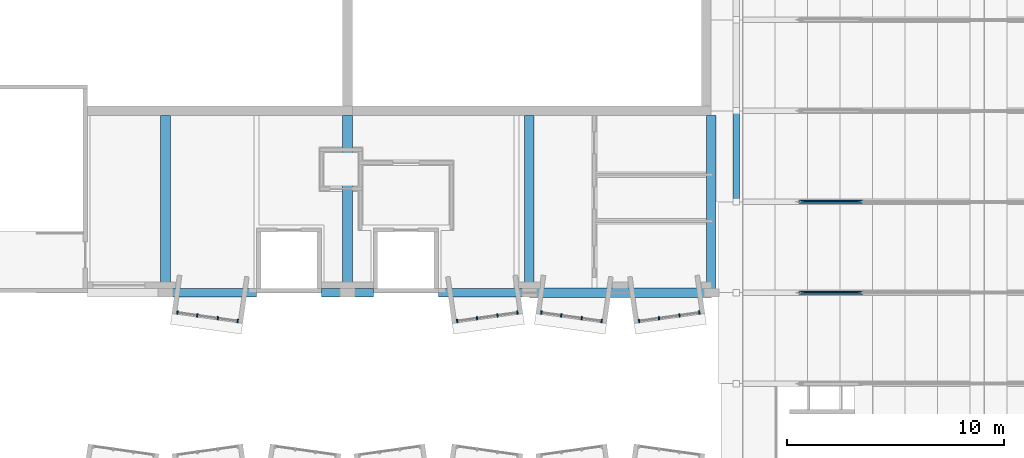
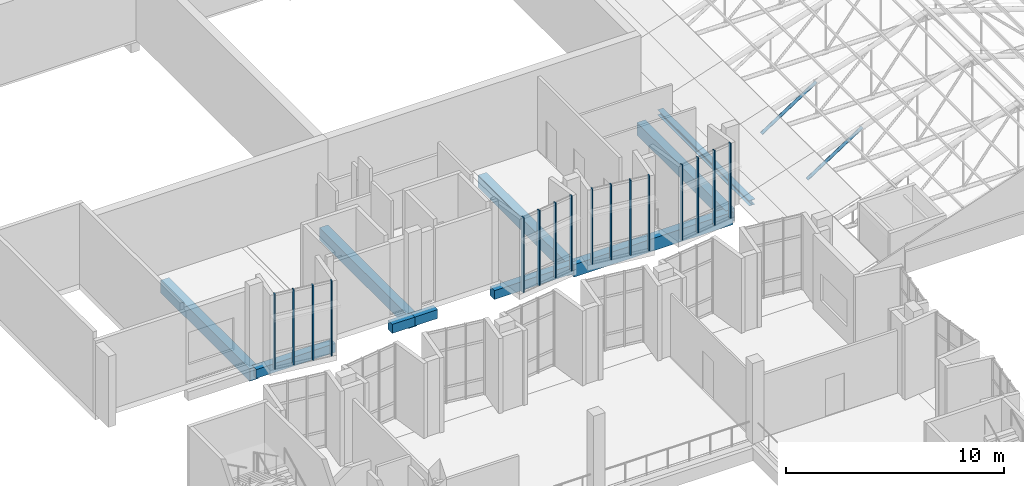
# One storey, part 12 of 95: 18 members, 10 beams, 4 elements without a shape of their own.
"""IFC4 building model written with IfcOpenShell, lengths in metres."""

from ifc_helpers import new_model, si_unit, direction, frame, origin, origin_2d, place, context, subcontext, project, spatial, rectangle, hollow_circle, i_section, extrude, material, layer, layer_set, material_profile, profile_set, type_object, element, aggregate, save


model = new_model("IFC4")

# Units and contexts
model_context = context("Model", 3, precision=1e-05, world=origin(), true_north=direction((0.0, 1.0)))
body_context = subcontext(model_context, "Body", "Model", "MODEL_VIEW")
ifc_project = project(units=[si_unit("LENGTHUNIT", "METRE"), si_unit("AREAUNIT", "SQUARE_METRE"), si_unit("VOLUMEUNIT", "CUBIC_METRE"), si_unit("PLANEANGLEUNIT", "RADIAN"), si_unit("MASSUNIT", "GRAM", prefix="KILO")], contexts=[model_context])

# Site, building, storey
site_placement = place(None, origin())
site = spatial("IfcSite", under=ifc_project, at=site_placement, CompositionType="ELEMENT")
building_placement = place(site_placement, origin())
building = spatial("IfcBuilding", under=site, at=building_placement, Name="Kiln Court Media Centre", CompositionType="ELEMENT")
storey_placement = place(building_placement, frame((0.0, 0.0, 24.60009765625)))
storey = spatial("IfcBuildingStorey", under=building, at=storey_placement, Name="L05", CompositionType="ELEMENT", Elevation=24.60009765625)

# Curtain wall, members
ifc_material_1 = material(Name="Aluminium 6063-T6", Category="aluminium")
ifc_layer = layer(ifc_material_1, 0.1201171875)
ifc_layer_set = layer_set([ifc_layer], Name="Aluminium unitised bay curtain wall")
curtain_wall_type = type_object("IfcCurtainWallType", Name="Aluminium unitised bay curtain wall", PredefinedType="USERDEFINED", material=ifc_layer_set)
curtain_wall_1_placement = place(storey_placement, origin())
curtain_wall_1 = element("IfcCurtainWall", 1, at=curtain_wall_1_placement, inside=storey, type_object=curtain_wall_type, Name="BAY V4-S-L05-31 front", ObjectType="UNITISED CURTAIN WALL", PredefinedType="USERDEFINED")
ifc_material_2 = material(Name="Aluminium 6063-T6", Category="aluminium")
ifc_material_profile_1 = material_profile(ifc_material_2, rectangle(XDim=0.06005859375, YDim=0.159912109375, at=origin_2d()), Name="Aluminium mullion 60x160")
ifc_profile_set_1 = profile_set([ifc_material_profile_1], Name="Aluminium 6063-T6")
member_type_1 = type_object("IfcMemberType", Name="Aluminium mullion 60x160", PredefinedType="MULLION", material=ifc_profile_set_1)
member_1_placement = place(storey_placement, frame((8.952880859375, 32.6865234375, 0.0), z_axis=(0.0, 0.0, 1.0), x_axis=(0.990269562409, -0.139162472554, 0.0)))
member_1 = element("IfcMember", 2, at=member_1_placement, type_object=member_type_1, Name="CW5-01 mullion 1", PredefinedType="MULLION", context=body_context, shape_type="SweptSolid", body=[
    extrude(rectangle(XDim=0.06005859375, YDim=0.159912109375, at=origin_2d()), origin(), (0.0, 0.0, 1.0), 4.199951171875),
])
member_2_placement = place(storey_placement, frame((9.870361328125, 32.557373046875, 0.0), z_axis=(0.0, 0.0, 1.0), x_axis=(0.990269562409, -0.139162472554, 0.0)))
member_2 = element("IfcMember", 3, at=member_2_placement, type_object=member_type_1, Name="CW5-01 mullion 2", PredefinedType="MULLION", context=body_context, shape_type="SweptSolid", body=[
    extrude(rectangle(XDim=0.06005859375, YDim=0.159912109375, at=origin_2d()), origin(), (0.0, 0.0, 1.0), 4.199951171875),
])
member_3_placement = place(storey_placement, frame((10.81787109375, 32.42431640625, 0.0), z_axis=(0.0, 0.0, 1.0), x_axis=(0.990269562409, -0.139162472554, 0.0)))
member_3 = element("IfcMember", 4, at=member_3_placement, type_object=member_type_1, Name="CW5-01 mullion 3", PredefinedType="MULLION", context=body_context, shape_type="SweptSolid", body=[
    extrude(rectangle(XDim=0.06005859375, YDim=0.159912109375, at=origin_2d()), origin(), (0.0, 0.0, 1.0), 4.199951171875),
])
member_4_placement = place(storey_placement, frame((11.735595703125, 32.29541015625, 0.0), z_axis=(0.0, 0.0, 1.0), x_axis=(0.990269562409, -0.139162472554, 0.0)))
member_4 = element("IfcMember", 5, at=member_4_placement, type_object=member_type_1, Name="CW5-01 mullion 4", PredefinedType="MULLION", context=body_context, shape_type="SweptSolid", body=[
    extrude(rectangle(XDim=0.06005859375, YDim=0.159912109375, at=origin_2d()), origin(), (0.0, 0.0, 1.0), 4.199951171875),
])
aggregate(curtain_wall_1, [member_1, member_2, member_3, member_4])

curtain_wall_2_placement = place(storey_placement, origin())
curtain_wall_2 = element("IfcCurtainWall", 6, at=curtain_wall_2_placement, inside=storey, type_object=curtain_wall_type, Name="BAY V4-S-L05-34 front", ObjectType="UNITISED CURTAIN WALL", PredefinedType="USERDEFINED")
member_5_placement = place(storey_placement, frame((21.864501953125, 32.29541015625, 0.0), z_axis=(0.0, 0.0, 1.0), x_axis=(0.990269562409, 0.139162472554, 0.0)))
member_5 = element("IfcMember", 7, at=member_5_placement, type_object=member_type_1, Name="CW5-02 mullion 1", PredefinedType="MULLION", context=body_context, shape_type="SweptSolid", body=[
    extrude(rectangle(XDim=0.06005859375, YDim=0.159912109375, at=origin_2d()), origin(), (0.0, 0.0, 1.0), 4.199951171875),
])
member_6_placement = place(storey_placement, frame((22.7822265625, 32.42431640625, 0.0), z_axis=(0.0, 0.0, 1.0), x_axis=(0.990269562409, 0.139162472554, 0.0)))
member_6 = element("IfcMember", 8, at=member_6_placement, type_object=member_type_1, Name="CW5-02 mullion 2", PredefinedType="MULLION", context=body_context, shape_type="SweptSolid", body=[
    extrude(rectangle(XDim=0.06005859375, YDim=0.159912109375, at=origin_2d()), origin(), (0.0, 0.0, 1.0), 4.199951171875),
])
member_7_placement = place(storey_placement, frame((23.7294921875, 32.557373046875, 0.0), z_axis=(0.0, 0.0, 1.0), x_axis=(0.990269562409, 0.139162472554, 0.0)))
member_7 = element("IfcMember", 9, at=member_7_placement, type_object=member_type_1, Name="CW5-02 mullion 3", PredefinedType="MULLION", context=body_context, shape_type="SweptSolid", body=[
    extrude(rectangle(XDim=0.06005859375, YDim=0.159912109375, at=origin_2d()), origin(), (0.0, 0.0, 1.0), 4.199951171875),
])
member_8_placement = place(storey_placement, frame((24.647216796875, 32.6865234375, 0.0), z_axis=(0.0, 0.0, 1.0), x_axis=(0.990269562409, 0.139162472554, 0.0)))
member_8 = element("IfcMember", 10, at=member_8_placement, type_object=member_type_1, Name="CW5-02 mullion 4", PredefinedType="MULLION", context=body_context, shape_type="SweptSolid", body=[
    extrude(rectangle(XDim=0.06005859375, YDim=0.159912109375, at=origin_2d()), origin(), (0.0, 0.0, 1.0), 4.199951171875),
])
aggregate(curtain_wall_2, [member_5, member_6, member_7, member_8])

curtain_wall_3_placement = place(storey_placement, origin())
curtain_wall_3 = element("IfcCurtainWall", 11, at=curtain_wall_3_placement, inside=storey, type_object=curtain_wall_type, Name="BAY V4-S-L05-35 front", ObjectType="UNITISED CURTAIN WALL", PredefinedType="USERDEFINED")
member_9_placement = place(storey_placement, frame((25.7529296875, 32.6865234375, 0.0), z_axis=(0.0, 0.0, 1.0), x_axis=(0.990269562409, -0.139162472554, 0.0)))
member_9 = element("IfcMember", 12, at=member_9_placement, type_object=member_type_1, Name="CW5-03 mullion 1", PredefinedType="MULLION", context=body_context, shape_type="SweptSolid", body=[
    extrude(rectangle(XDim=0.06005859375, YDim=0.159912109375, at=origin_2d()), origin(), (0.0, 0.0, 1.0), 4.199951171875),
])
member_10_placement = place(storey_placement, frame((26.67041015625, 32.557373046875, 0.0), z_axis=(0.0, 0.0, 1.0), x_axis=(0.990269562409, -0.139162472554, 0.0)))
member_10 = element("IfcMember", 13, at=member_10_placement, type_object=member_type_1, Name="CW5-03 mullion 2", PredefinedType="MULLION", context=body_context, shape_type="SweptSolid", body=[
    extrude(rectangle(XDim=0.06005859375, YDim=0.159912109375, at=origin_2d()), origin(), (0.0, 0.0, 1.0), 4.199951171875),
])
member_11_placement = place(storey_placement, frame((27.617919921875, 32.42431640625, 0.0), z_axis=(0.0, 0.0, 1.0), x_axis=(0.990269562409, -0.139162472554, 0.0)))
member_11 = element("IfcMember", 14, at=member_11_placement, type_object=member_type_1, Name="CW5-03 mullion 3", PredefinedType="MULLION", context=body_context, shape_type="SweptSolid", body=[
    extrude(rectangle(XDim=0.06005859375, YDim=0.159912109375, at=origin_2d()), origin(), (0.0, 0.0, 1.0), 4.199951171875),
])
member_12_placement = place(storey_placement, frame((28.535400390625, 32.29541015625, 0.0), z_axis=(0.0, 0.0, 1.0), x_axis=(0.990269562409, -0.139162472554, 0.0)))
member_12 = element("IfcMember", 15, at=member_12_placement, type_object=member_type_1, Name="CW5-03 mullion 4", PredefinedType="MULLION", context=body_context, shape_type="SweptSolid", body=[
    extrude(rectangle(XDim=0.06005859375, YDim=0.159912109375, at=origin_2d()), origin(), (0.0, 0.0, 1.0), 4.199951171875),
])
aggregate(curtain_wall_3, [member_9, member_10, member_11, member_12])

curtain_wall_4_placement = place(storey_placement, origin())
curtain_wall_4 = element("IfcCurtainWall", 16, at=curtain_wall_4_placement, inside=storey, type_object=curtain_wall_type, Name="BAY V4-S-L05-36 front", ObjectType="UNITISED CURTAIN WALL", PredefinedType="USERDEFINED")
member_13_placement = place(storey_placement, frame((30.264404296875, 32.29541015625, 0.0), z_axis=(0.0, 0.0, 1.0), x_axis=(0.990269562409, 0.139162472554, 0.0)))
member_13 = element("IfcMember", 17, at=member_13_placement, type_object=member_type_1, Name="CW5-04 mullion 1", PredefinedType="MULLION", context=body_context, shape_type="SweptSolid", body=[
    extrude(rectangle(XDim=0.06005859375, YDim=0.159912109375, at=origin_2d()), origin(), (0.0, 0.0, 1.0), 4.199951171875),
])
member_14_placement = place(storey_placement, frame((31.18212890625, 32.42431640625, 0.0), z_axis=(0.0, 0.0, 1.0), x_axis=(0.990269562409, 0.139162472554, 0.0)))
member_14 = element("IfcMember", 18, at=member_14_placement, type_object=member_type_1, Name="CW5-04 mullion 2", PredefinedType="MULLION", context=body_context, shape_type="SweptSolid", body=[
    extrude(rectangle(XDim=0.06005859375, YDim=0.159912109375, at=origin_2d()), origin(), (0.0, 0.0, 1.0), 4.199951171875),
])
member_15_placement = place(storey_placement, frame((32.129638671875, 32.557373046875, 0.0), z_axis=(0.0, 0.0, 1.0), x_axis=(0.990269562409, 0.139162472554, 0.0)))
member_15 = element("IfcMember", 19, at=member_15_placement, type_object=member_type_1, Name="CW5-04 mullion 3", PredefinedType="MULLION", context=body_context, shape_type="SweptSolid", body=[
    extrude(rectangle(XDim=0.06005859375, YDim=0.159912109375, at=origin_2d()), origin(), (0.0, 0.0, 1.0), 4.199951171875),
])
member_16_placement = place(storey_placement, frame((33.047119140625, 32.6865234375, 0.0), z_axis=(0.0, 0.0, 1.0), x_axis=(0.990269562409, 0.139162472554, 0.0)))
member_16 = element("IfcMember", 20, at=member_16_placement, type_object=member_type_1, Name="CW5-04 mullion 4", PredefinedType="MULLION", context=body_context, shape_type="SweptSolid", body=[
    extrude(rectangle(XDim=0.06005859375, YDim=0.159912109375, at=origin_2d()), origin(), (0.0, 0.0, 1.0), 4.199951171875),
])
aggregate(curtain_wall_4, [member_13, member_14, member_15, member_16])

# Beams
ifc_material_3 = material(Name="Concrete C30/37", Category="concrete")
ifc_material_profile_2 = material_profile(ifc_material_3, rectangle(XDim=0.39990234375, YDim=0.5, at=origin_2d()), Name="RC 400x500")
ifc_profile_set_2 = profile_set([ifc_material_profile_2], Name="Concrete C30/37")
beam_type_1 = type_object("IfcBeamType", Name="Concrete C30/37 beam 400x500", PredefinedType="BEAM", material=ifc_profile_set_2)
beam_1_placement = place(storey_placement, frame((8.39990234375, 33.60009765625, -0.550048828125), z_axis=(1.0, 0.0, 0.0), x_axis=(0.0, 1.0, 0.0)))
element("IfcBeam", 21, at=beam_1_placement, inside=storey, type_object=beam_type_1, Name="L05-B-1037", PredefinedType="BEAM", context=body_context, shape_type="SweptSolid", body=[
    extrude(rectangle(XDim=0.39990234375, YDim=0.5, at=origin_2d()), origin(), (0.0, 0.0, 1.0), 4.2001953125),
])
for number, where, z_axis, x_axis, name in (
    (22, (15.60009765625, 33.60009765625, -0.550048828125), (1.0, 0.0, 0.0), (0.0, 1.0, 0.0), "L05-B-1038"),
    (23, (16.800048828125, 33.60009765625, -0.550048828125), (1.0, 0.0, 0.0), (0.0, 1.0, 0.0), "L05-B-1039"),
):
    element("IfcBeam", number, at=place(storey_placement, frame(where, z_axis=z_axis, x_axis=x_axis)), inside=storey, type_object=beam_type_1, Name=name, PredefinedType="BEAM", context=body_context, shape_type="SweptSolid", body=[
        extrude(rectangle(XDim=0.39990234375, YDim=0.5, at=origin_2d()), origin(), (0.0, 0.0, 1.0), 1.199951171875),
    ])
beam_2_placement = place(storey_placement, frame((21.0, 33.60009765625, -0.550048828125), z_axis=(1.0, 0.0, 0.0), x_axis=(0.0, 1.0, 0.0)))
element("IfcBeam", 24, at=beam_2_placement, inside=storey, type_object=beam_type_1, Name="L05-B-1040", PredefinedType="BEAM", context=body_context, shape_type="SweptSolid", body=[
    extrude(rectangle(XDim=0.39990234375, YDim=0.5, at=origin_2d()), origin(), (0.0, 0.0, 1.0), 4.199951171875),
])
ifc_material_4 = material(Name="Concrete C30/37", Category="concrete")
ifc_material_profile_3 = material_profile(ifc_material_4, rectangle(XDim=0.449951171875, YDim=0.699951171875, at=origin_2d()), Name="RC 450x700")
ifc_profile_set_3 = profile_set([ifc_material_profile_3], Name="Concrete C30/37")
beam_type_2 = type_object("IfcBeamType", Name="Concrete C30/37 beam 450x700", PredefinedType="BEAM", material=ifc_profile_set_3)
for number, where, z_axis, x_axis, name in (
    (25, (8.39990234375, 33.60009765625, -0.650146484375), (0.0, 1.0, 0.0), (-1.0, 0.0, 0.0), "L05-B-1029"),
    (26, (16.800048828125, 33.60009765625, -0.650146484375), (0.0, 1.0, 0.0), (-1.0, 0.0, 0.0), "L05-B-1031"),
    (27, (25.199951171875, 33.60009765625, -0.650146484375), (0.0, 1.0, 0.0), (-1.0, 0.0, 0.0), "L05-B-1033"),
    (28, (33.60009765625, 33.60009765625, -0.650146484375), (0.0, 1.0, 0.0), (-1.0, 0.0, 0.0), "L05-B-1035"),
):
    element("IfcBeam", number, at=place(storey_placement, frame(where, z_axis=z_axis, x_axis=x_axis)), inside=storey, type_object=beam_type_2, Name=name, PredefinedType="BEAM", context=body_context, shape_type="SweptSolid", body=[
        extrude(rectangle(XDim=0.449951171875, YDim=0.699951171875, at=origin_2d()), origin(), (0.0, 0.0, 1.0), 8.1748046875),
    ])
beam_3_placement = place(storey_placement, frame((25.199951171875, 33.60009765625, -0.650146484375), z_axis=(1.0, 0.0, 0.0), x_axis=(0.0, 1.0, 0.0)))
element("IfcBeam", 29, at=beam_3_placement, inside=storey, type_object=beam_type_2, Name="L05-B-1041", PredefinedType="BEAM", context=body_context, shape_type="SweptSolid", body=[
    extrude(rectangle(XDim=0.449951171875, YDim=0.699951171875, at=origin_2d()), origin(), (0.0, 0.0, 1.0), 8.400146484375),
])

# Members
ifc_material_5 = material(Name="Steel ASTM A500 Gr C", Category="steel")
ifc_material_profile_4 = material_profile(ifc_material_5, hollow_circle(Radius=0.084228515625, WallThickness=0.00634765625, at=origin_2d()), Name="CHS 168.3x6.3")
ifc_profile_set_4 = profile_set([ifc_material_profile_4], Name="Steel ASTM A500 Gr C")
member_type_2 = type_object("IfcMemberType", Name="Steel ASTM A500 Gr C CHS 168.3x6.3 truss web", PredefinedType="BRACE", material=ifc_profile_set_4)
for number, where, z_axis, x_axis, name in (
    (30, (37.66259765625, 33.60009765625, -0.013916015625), (0.838470915332, 0.0, 0.544946349784), (0.0, 1.0, 0.0), "foyer truss FT-03 diagonal 2 truss web"),
    (31, (37.66259765625, 37.800048828125, -0.013916015625), (0.838470915332, 0.0, 0.544946349784), (0.0, 1.0, 0.0), "foyer truss FT-04 diagonal 2 truss web"),
):
    element("IfcMember", number, at=place(storey_placement, frame(where, z_axis=z_axis, x_axis=x_axis)), inside=storey, type_object=member_type_2, Name=name, PredefinedType="BRACE", context=body_context, shape_type="SweptSolid", body=[
        extrude(hollow_circle(Radius=0.084228515625, WallThickness=0.00634765625, at=origin_2d()), origin(), (0.0, 0.0, 1.0), 3.473388671875),
    ])

# Beam
ifc_material_6 = material(Name="Steel ASTM A572 Gr 50", Category="steel")
ifc_material_profile_5 = material_profile(ifc_material_6, i_section(OverallWidth=0.300048828125, OverallDepth=0.300048828125, WebThickness=0.010986328125, FlangeThickness=0.01904296875, FilletRadius=0.027099609375, at=origin_2d()), Name="HE 300 B")
ifc_profile_set_5 = profile_set([ifc_material_profile_5], Name="Steel ASTM A572 Gr 50")
beam_type_3 = type_object("IfcBeamType", Name="Steel ASTM A572 Gr 50 HE 300 B foyer eaves girder", PredefinedType="BEAM", material=ifc_profile_set_5)
beam_4_placement = place(storey_placement, frame((34.75, 33.60009765625, -0.300048828125), z_axis=(0.0, 1.0, 0.0), x_axis=(-1.0, 0.0, 0.0)))
element("IfcBeam", 32, at=beam_4_placement, inside=storey, type_object=beam_type_3, Name="foyer eaves girder at x 34.75 foyer eaves girder", PredefinedType="BEAM", context=body_context, shape_type="SweptSolid", body=[
    extrude(i_section(OverallWidth=0.300048828125, OverallDepth=0.300048828125, WebThickness=0.010986328125, FlangeThickness=0.01904296875, FilletRadius=0.027099609375, at=origin_2d()), origin(), (0.0, 0.0, 1.0), 8.39990234375),
])

save(model, "model.ifc")
